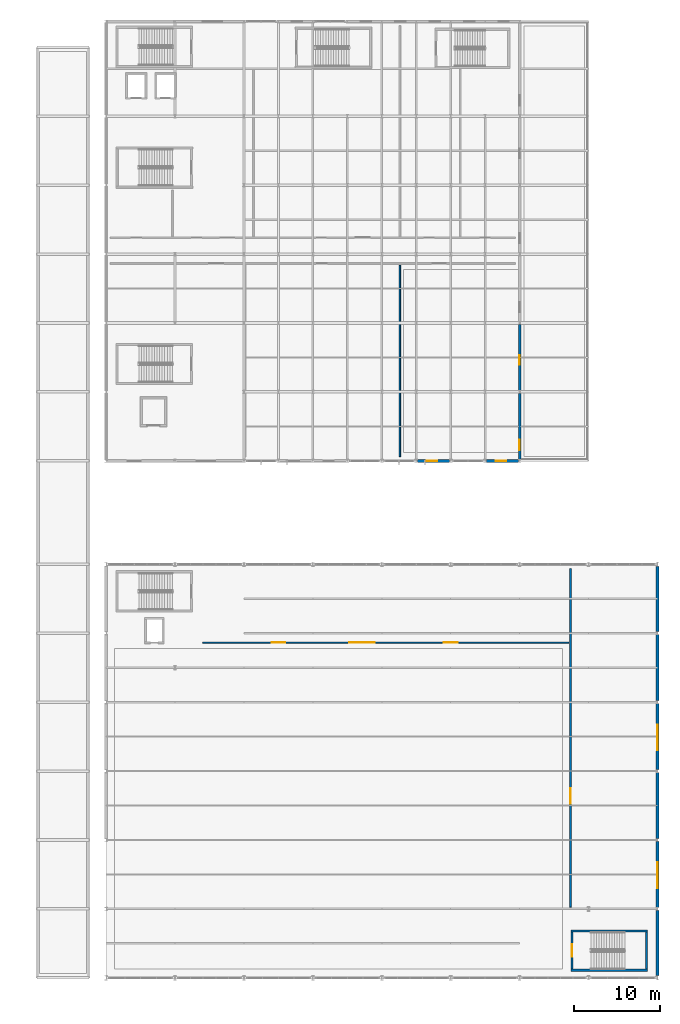
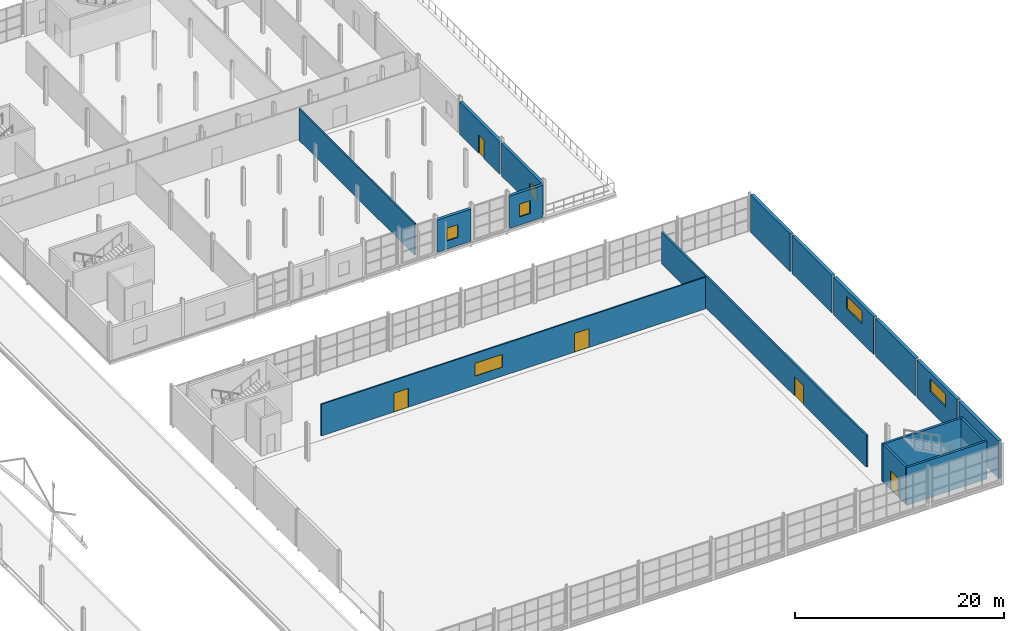
# One storey, part 141 of 153: 17 walls, 6 windows, 5 doors, 11 openings.
"""IFC4 building model written with IfcOpenShell, lengths in metres."""

from ifc_helpers import new_model, si_unit, derived_unit, direction, frame, frame_2d, origin, place, context, subcontext, project, spatial, rectangle, extrude, material, layer, layer_set, type_object, element, fill, save


model = new_model("IFC4")

# Units and contexts
model_context = context("Model", 3, precision=1e-05, world=origin(), true_north=direction((0.0, 1.0)))
body_context = subcontext(model_context, "Body", "Model", "MODEL_VIEW")
ifc_project = project(units=[si_unit("LENGTHUNIT", "METRE"), si_unit("AREAUNIT", "SQUARE_METRE"), si_unit("VOLUMEUNIT", "CUBIC_METRE"), si_unit("PLANEANGLEUNIT", "RADIAN"), si_unit("MASSUNIT", "GRAM", prefix="KILO"), derived_unit("THERMALTRANSMITTANCEUNIT", [(si_unit("POWERUNIT", "WATT"), 1), (si_unit("LENGTHUNIT", "METRE"), -2), (si_unit("THERMODYNAMICTEMPERATUREUNIT", "KELVIN"), -1)])], contexts=[model_context])

# Site, building, storey
site_placement = place(None, origin())
site = spatial("IfcSite", under=ifc_project, at=site_placement, CompositionType="ELEMENT")
building_placement = place(site_placement, origin())
building = spatial("IfcBuilding", under=site, at=building_placement, Name="Keldorne Ridge Multi-Sports Centre", CompositionType="ELEMENT")
storey_placement = place(building_placement, frame((0.0, 0.0, 9.60009765625)))
storey = spatial("IfcBuildingStorey", under=building, at=storey_placement, Name="L02", CompositionType="ELEMENT", Elevation=9.60009765625)

# Wall, opening, window
ifc_material_1 = material(Name="Precast concrete C40/50", Category="concrete")
ifc_layer_1 = layer(ifc_material_1, 0.320068359375)
ifc_layer_set_1 = layer_set([ifc_layer_1], Name="Precast concrete C40/50")
wall_type_1 = type_object("IfcWallType", Name="WAL-PR-W1", PredefinedType="STANDARD", material=ifc_layer_set_1)
wall_1_placement = place(storey_placement, frame((140.152099609375, 66.0, 0.0), z_axis=(0.0, 0.0, 1.0), x_axis=(1.0, 0.0, 0.0)))
wall_1 = element("IfcWall", 1, at=wall_1_placement, inside=storey, type_object=wall_type_1, Name="East Wing L02 south facade 8", PredefinedType="STANDARD", context=body_context, shape_type="SweptSolid", body=[
    extrude(rectangle(XDim=3.69580078125, YDim=0.320068359375, at=frame_2d((1.847900390625, 0.0))), origin(), (0.0, 0.0, 1.0), 3.77490234375),
])
opening_1_placement = place(wall_1_placement, frame((1.087890625, 0.0, 0.949951171875)))
opening_1 = element("IfcOpeningElement", 2, at=opening_1_placement, cuts=wall_1, Name="Opening W-03", PredefinedType="OPENING", context=body_context, shape_type="SweptSolid", body=[
    extrude(rectangle(XDim=1.199951171875, YDim=1.5, at=frame_2d((0.60009765625, 0.75))), frame((0.0, 0.169921875, 0.0), z_axis=(0.0, -1.0, 0.0), x_axis=(1.0, 0.0, 0.0)), (0.0, 0.0, 1.0), 0.340087890625),
])
ifc_material_2 = material(Name="Anodized aluminium", Category="aluminium")
window_type_1 = type_object("IfcWindowType", Name="WIN-W-03", PartitioningType="SINGLE_PANEL", PredefinedType="WINDOW", material=ifc_material_2)
window_1_placement = place(opening_1_placement, origin())
window_1 = element("IfcWindow", 3, at=window_1_placement, inside=storey, type_object=window_type_1, Name="East Wing L02 south window W-077", OverallHeight=1.5, OverallWidth=1.199951171875, PartitioningType="SINGLE_PANEL", PredefinedType="WINDOW", context=body_context, shape_type="SweptSolid", body=[
    extrude(rectangle(XDim=1.199951171875, YDim=1.5, at=frame_2d((0.60009765625, 0.75))), frame((0.0, 0.030029296875, 0.0), z_axis=(0.0, -1.0, 0.0), x_axis=(1.0, 0.0, 0.0)), (0.0, 0.0, 1.0), 0.06005859375),
])
fill(opening_1, window_1)

wall_2_placement = place(storey_placement, frame((148.152099609375, 66.0, 0.0), z_axis=(0.0, 0.0, 1.0), x_axis=(1.0, 0.0, 0.0)))
wall_2 = element("IfcWall", 4, at=wall_2_placement, inside=storey, type_object=wall_type_1, Name="East Wing L02 south facade 10", PredefinedType="STANDARD", context=body_context, shape_type="SweptSolid", body=[
    extrude(rectangle(XDim=3.69580078125, YDim=0.320068359375, at=frame_2d((1.847900390625, 0.0))), origin(), (0.0, 0.0, 1.0), 3.77490234375),
])
opening_2_placement = place(wall_2_placement, frame((1.087890625, 0.0, 0.949951171875)))
opening_2 = element("IfcOpeningElement", 5, at=opening_2_placement, cuts=wall_2, Name="Opening W-03", PredefinedType="OPENING", context=body_context, shape_type="SweptSolid", body=[
    extrude(rectangle(XDim=1.199951171875, YDim=1.5, at=frame_2d((0.60009765625, 0.75))), frame((0.0, 0.169921875, 0.0), z_axis=(0.0, -1.0, 0.0), x_axis=(1.0, 0.0, 0.0)), (0.0, 0.0, 1.0), 0.340087890625),
])
window_2_placement = place(opening_2_placement, origin())
window_2 = element("IfcWindow", 6, at=window_2_placement, inside=storey, type_object=window_type_1, Name="East Wing L02 south window W-078", OverallHeight=1.5, OverallWidth=1.199951171875, PartitioningType="SINGLE_PANEL", PredefinedType="WINDOW", context=body_context, shape_type="SweptSolid", body=[
    extrude(rectangle(XDim=1.199951171875, YDim=1.5, at=frame_2d((0.60009765625, 0.75))), frame((0.0, 0.030029296875, 0.0), z_axis=(0.0, -1.0, 0.0), x_axis=(1.0, 0.0, 0.0)), (0.0, 0.0, 1.0), 0.06005859375),
])
fill(opening_2, window_2)

wall_3_placement = place(storey_placement, frame((152.0, 66.172119140625, 0.0), z_axis=(0.0, 0.0, 1.0), x_axis=(0.0, 1.0, 0.0)))
wall_3 = element("IfcWall", 7, at=wall_3_placement, inside=storey, type_object=wall_type_1, Name="East Wing L02 east facade 1", PredefinedType="STANDARD", context=body_context, shape_type="SweptSolid", body=[
    extrude(rectangle(XDim=7.65576171875, YDim=0.320068359375, at=frame_2d((3.827880859375, 0.0))), origin(), (0.0, 0.0, 1.0), 3.824951171875),
])
opening_3_placement = place(wall_3_placement, frame((1.068115234375, 0.0, 0.949951171875)))
opening_3 = element("IfcOpeningElement", 8, at=opening_3_placement, cuts=wall_3, Name="Opening W-03", PredefinedType="OPENING", context=body_context, shape_type="SweptSolid", body=[
    extrude(rectangle(XDim=1.199951171875, YDim=1.5, at=frame_2d((0.60009765625, 0.75))), frame((0.0, 0.169921875, 0.0), z_axis=(0.0, -1.0, 0.0), x_axis=(1.0, 0.0, 0.0)), (0.0, 0.0, 1.0), 0.340087890625),
])
window_3_placement = place(opening_3_placement, origin())
window_3 = element("IfcWindow", 9, at=window_3_placement, inside=storey, type_object=window_type_1, Name="East Wing L02 east window W-086", OverallHeight=1.5, OverallWidth=1.199951171875, PartitioningType="SINGLE_PANEL", PredefinedType="WINDOW", context=body_context, shape_type="SweptSolid", body=[
    extrude(rectangle(XDim=1.199951171875, YDim=1.5, at=frame_2d((0.60009765625, 0.75))), frame((0.0, 0.030029296875, 0.0), z_axis=(0.0, -1.0, 0.0), x_axis=(1.0, 0.0, 0.0)), (0.0, 0.0, 1.0), 0.06005859375),
])
fill(opening_3, window_3)

# Wall, opening, door
wall_4_placement = place(storey_placement, frame((152.0, 74.172119140625, 0.0), z_axis=(0.0, 0.0, 1.0), x_axis=(0.0, 1.0, 0.0)))
wall_4 = element("IfcWall", 10, at=wall_4_placement, inside=storey, type_object=wall_type_1, Name="East Wing L02 east facade 2", PredefinedType="STANDARD", context=body_context, shape_type="SweptSolid", body=[
    extrude(rectangle(XDim=7.65576171875, YDim=0.320068359375, at=frame_2d((3.827880859375, 0.0))), origin(), (0.0, 0.0, 1.0), 3.824951171875),
])
opening_4_placement = place(wall_4_placement, frame((2.968017578125, 0.0, 0.0)))
opening_4 = element("IfcOpeningElement", 11, at=opening_4_placement, cuts=wall_4, Name="Opening ED-04", PredefinedType="OPENING", context=body_context, shape_type="SweptSolid", body=[
    extrude(rectangle(XDim=1.10009765625, YDim=2.199951171875, at=frame_2d((0.550048828125, 1.10009765625))), frame((0.0, 0.169921875, 0.0), z_axis=(0.0, -1.0, 0.0), x_axis=(1.0, 0.0, 0.0)), (0.0, 0.0, 1.0), 0.340087890625),
])
ifc_material_3 = material(Name="Galvanized steel", Category="steel")
door_type_1 = type_object("IfcDoorType", Name="DR-ED-04", OperationType="NOTDEFINED", PredefinedType="DOOR", material=ifc_material_3)
door_1_placement = place(opening_4_placement, origin())
door_1 = element("IfcDoor", 12, at=door_1_placement, inside=storey, type_object=door_type_1, Name="L02 East Stepped Roof Garden door 1", OperationType="SINGLE_SWING_LEFT", OverallHeight=2.199951171875, OverallWidth=1.10009765625, PredefinedType="DOOR", context=body_context, shape_type="SweptSolid", body=[
    extrude(rectangle(XDim=1.10009765625, YDim=2.199951171875, at=frame_2d((0.550048828125, 1.10009765625))), frame((0.0, 0.02490234375, 0.0), z_axis=(0.0, -1.0, 0.0), x_axis=(1.0, 0.0, 0.0)), (0.0, 0.0, 1.0), 0.050048828125),
])
fill(opening_4, door_1)

# Wall
ifc_layer_2 = layer(ifc_material_1, 0.360107421875)
ifc_layer_set_2 = layer_set([ifc_layer_2], Name="Precast concrete C40/50")
wall_type_2 = type_object("IfcWallType", Name="WAL-PR-W2", PredefinedType="STANDARD", material=ifc_layer_set_2)
wall_5_placement = place(storey_placement, frame((168.0, 6.251953125, 0.0), z_axis=(0.0, 0.0, 1.0), x_axis=(0.0, 1.0, 0.0)))
element("IfcWall", 13, at=wall_5_placement, inside=storey, type_object=wall_type_2, Name="Stacked Courts east acoustic wall L02.1", PredefinedType="STANDARD", context=body_context, shape_type="SweptSolid", body=[
    extrude(rectangle(XDim=7.575927734375, YDim=0.360107421875, at=frame_2d((3.7880859375, 0.0))), origin(), (0.0, 0.0, 1.0), 4.39990234375),
])

# Wall, opening, window
wall_6_placement = place(storey_placement, frame((168.0, 14.172119140625, 0.0), z_axis=(0.0, 0.0, 1.0), x_axis=(0.0, 1.0, 0.0)))
wall_6 = element("IfcWall", 14, at=wall_6_placement, inside=storey, type_object=wall_type_2, Name="Stacked Courts east acoustic wall L02.2", PredefinedType="STANDARD", context=body_context, shape_type="SweptSolid", body=[
    extrude(rectangle(XDim=7.65576171875, YDim=0.360107421875, at=frame_2d((3.827880859375, 0.0))), origin(), (0.0, 0.0, 1.0), 4.39990234375),
])
opening_5_placement = place(wall_6_placement, frame((2.218017578125, 0.0, 2.199951171875)))
opening_5 = element("IfcOpeningElement", 15, at=opening_5_placement, cuts=wall_6, Name="Opening W-04", PredefinedType="OPENING", context=body_context, shape_type="SweptSolid", body=[
    extrude(rectangle(XDim=3.0, YDim=1.5, at=frame_2d((1.5, 0.75))), frame((0.0, 0.18994140625, 0.0), z_axis=(0.0, -1.0, 0.0), x_axis=(1.0, 0.0, 0.0)), (0.0, 0.0, 1.0), 0.380126953125),
])
window_type_2 = type_object("IfcWindowType", Name="WIN-W-04", PartitioningType="DOUBLE_PANEL_VERTICAL", PredefinedType="WINDOW", material=ifc_material_2)
window_4_placement = place(opening_5_placement, origin())
window_4 = element("IfcWindow", 16, at=window_4_placement, inside=storey, type_object=window_type_2, Name="Stacked Courts east high window W-028", OverallHeight=1.5, OverallWidth=3.0, PartitioningType="SINGLE_PANEL", PredefinedType="WINDOW", context=body_context, shape_type="SweptSolid", body=[
    extrude(rectangle(XDim=3.0, YDim=1.5, at=frame_2d((1.5, 0.75))), frame((0.0, 0.030029296875, 0.0), z_axis=(0.0, -1.0, 0.0), x_axis=(1.0, 0.0, 0.0)), (0.0, 0.0, 1.0), 0.06005859375),
])
fill(opening_5, window_4)

# Wall
wall_7_placement = place(storey_placement, frame((168.0, 22.172119140625, 0.0), z_axis=(0.0, 0.0, 1.0), x_axis=(0.0, 1.0, 0.0)))
element("IfcWall", 17, at=wall_7_placement, inside=storey, type_object=wall_type_2, Name="Stacked Courts east acoustic wall L02.3", PredefinedType="STANDARD", context=body_context, shape_type="SweptSolid", body=[
    extrude(rectangle(XDim=7.65576171875, YDim=0.360107421875, at=frame_2d((3.827880859375, 0.0))), origin(), (0.0, 0.0, 1.0), 4.39990234375),
])

# Wall, opening, window
wall_8_placement = place(storey_placement, frame((168.0, 30.172119140625, 0.0), z_axis=(0.0, 0.0, 1.0), x_axis=(0.0, 1.0, 0.0)))
wall_8 = element("IfcWall", 18, at=wall_8_placement, inside=storey, type_object=wall_type_2, Name="Stacked Courts east acoustic wall L02.4", PredefinedType="STANDARD", context=body_context, shape_type="SweptSolid", body=[
    extrude(rectangle(XDim=7.65576171875, YDim=0.360107421875, at=frame_2d((3.827880859375, 0.0))), origin(), (0.0, 0.0, 1.0), 4.39990234375),
])
opening_6_placement = place(wall_8_placement, frame((2.218017578125, 0.0, 2.199951171875)))
opening_6 = element("IfcOpeningElement", 19, at=opening_6_placement, cuts=wall_8, Name="Opening W-04", PredefinedType="OPENING", context=body_context, shape_type="SweptSolid", body=[
    extrude(rectangle(XDim=3.0, YDim=1.5, at=frame_2d((1.5, 0.75))), frame((0.0, 0.18994140625, 0.0), z_axis=(0.0, -1.0, 0.0), x_axis=(1.0, 0.0, 0.0)), (0.0, 0.0, 1.0), 0.380126953125),
])
window_5_placement = place(opening_6_placement, origin())
window_5 = element("IfcWindow", 20, at=window_5_placement, inside=storey, type_object=window_type_2, Name="Stacked Courts east high window W-030", OverallHeight=1.5, OverallWidth=3.0, PartitioningType="SINGLE_PANEL", PredefinedType="WINDOW", context=body_context, shape_type="SweptSolid", body=[
    extrude(rectangle(XDim=3.0, YDim=1.5, at=frame_2d((1.5, 0.75))), frame((0.0, 0.030029296875, 0.0), z_axis=(0.0, -1.0, 0.0), x_axis=(1.0, 0.0, 0.0)), (0.0, 0.0, 1.0), 0.06005859375),
])
fill(opening_6, window_5)

# Walls
wall_9_placement = place(storey_placement, frame((168.0, 38.172119140625, 0.0), z_axis=(0.0, 0.0, 1.0), x_axis=(0.0, 1.0, 0.0)))
element("IfcWall", 21, at=wall_9_placement, inside=storey, type_object=wall_type_2, Name="Stacked Courts east acoustic wall L02.5", PredefinedType="STANDARD", context=body_context, shape_type="SweptSolid", body=[
    extrude(rectangle(XDim=7.65576171875, YDim=0.360107421875, at=frame_2d((3.827880859375, 0.0))), origin(), (0.0, 0.0, 1.0), 4.39990234375),
])
wall_10_placement = place(storey_placement, frame((168.0, 46.172119140625, 0.0), z_axis=(0.0, 0.0, 1.0), x_axis=(0.0, 1.0, 0.0)))
element("IfcWall", 22, at=wall_10_placement, inside=storey, type_object=wall_type_2, Name="Stacked Courts east acoustic wall L02.6", PredefinedType="STANDARD", context=body_context, shape_type="SweptSolid", body=[
    extrude(rectangle(XDim=7.575927734375, YDim=0.360107421875, at=frame_2d((3.7880859375, 0.0))), origin(), (0.0, 0.0, 1.0), 4.39990234375),
])

# Wall, openings, doors, window
ifc_material_4 = material(Name="Fire-rated twin stud plasterboard")
ifc_layer_3 = layer(ifc_material_4, 0.14990234375)
ifc_layer_set_3 = layer_set([ifc_layer_3])
wall_type_3 = type_object("IfcWallType", Name="WAL-PT-02", PredefinedType="PARTITIONING", material=ifc_layer_set_3)
wall_11_placement = place(storey_placement, frame((115.199951171875, 44.89990234375, 0.0), z_axis=(0.0, 0.0, 1.0), x_axis=(1.0, 0.0, 0.0)))
wall_11 = element("IfcWall", 23, at=wall_11_placement, inside=storey, type_object=wall_type_3, Name="Upper Courts spectator concourse wall IW-L02-054", PredefinedType="PARTITIONING", context=body_context, shape_type="SweptSolid", body=[
    extrude(rectangle(XDim=42.5, YDim=0.14990234375, at=frame_2d((21.25, 0.0))), origin(), (0.0, 0.0, 1.0), 3.699951171875),
])
opening_7_placement = place(wall_11_placement, frame((8.0, 0.0, 0.0)))
opening_7 = element("IfcOpeningElement", 24, at=opening_7_placement, cuts=wall_11, Name="Opening D-04", PredefinedType="OPENING", context=body_context, shape_type="SweptSolid", body=[
    extrude(rectangle(XDim=1.60009765625, YDim=2.199951171875, at=frame_2d((0.800048828125, 1.10009765625))), frame((0.0, 0.0849609375, 0.0), z_axis=(0.0, -1.0, 0.0), x_axis=(1.0, 0.0, 0.0)), (0.0, 0.0, 1.0), 0.169921875),
])
opening_8_placement = place(wall_11_placement, frame((28.0, 0.0, 0.0)))
opening_8 = element("IfcOpeningElement", 25, at=opening_8_placement, cuts=wall_11, Name="Opening D-04", PredefinedType="OPENING", context=body_context, shape_type="SweptSolid", body=[
    extrude(rectangle(XDim=1.60009765625, YDim=2.199951171875, at=frame_2d((0.800048828125, 1.10009765625))), frame((0.0, 0.0849609375, 0.0), z_axis=(0.0, -1.0, 0.0), x_axis=(1.0, 0.0, 0.0)), (0.0, 0.0, 1.0), 0.169921875),
])
opening_9_placement = place(wall_11_placement, frame((17.0, 0.0, 1.050048828125)))
opening_9 = element("IfcOpeningElement", 26, at=opening_9_placement, cuts=wall_11, Name="Opening IW-02", PredefinedType="OPENING", context=body_context, shape_type="SweptSolid", body=[
    extrude(rectangle(XDim=3.0, YDim=1.5, at=frame_2d((1.5, 0.75))), frame((0.0, 0.0849609375, 0.0), z_axis=(0.0, -1.0, 0.0), x_axis=(1.0, 0.0, 0.0)), (0.0, 0.0, 1.0), 0.169921875),
])
ifc_material_5 = material(Name="Timber fire-resisting pair", Category="wood")
door_type_2 = type_object("IfcDoorType", Name="DR-D-04", OperationType="NOTDEFINED", PredefinedType="DOOR", material=ifc_material_5)
door_2_placement = place(opening_7_placement, origin())
door_2 = element("IfcDoor", 27, at=door_2_placement, inside=storey, type_object=door_type_2, Name="Upper Courts concourse west door D-112", OperationType="DOUBLE_DOOR_SINGLE_SWING", OverallHeight=2.199951171875, OverallWidth=1.60009765625, PredefinedType="DOOR", context=body_context, shape_type="SweptSolid", body=[
    extrude(rectangle(XDim=1.60009765625, YDim=2.199951171875, at=frame_2d((0.800048828125, 1.10009765625))), frame((0.0, 0.02490234375, 0.0), z_axis=(0.0, -1.0, 0.0), x_axis=(1.0, 0.0, 0.0)), (0.0, 0.0, 1.0), 0.050048828125),
])
fill(opening_7, door_2)
door_3_placement = place(opening_8_placement, origin())
door_3 = element("IfcDoor", 28, at=door_3_placement, inside=storey, type_object=door_type_2, Name="Upper Courts concourse east door D-113", OperationType="DOUBLE_DOOR_SINGLE_SWING", OverallHeight=2.199951171875, OverallWidth=1.60009765625, PredefinedType="DOOR", context=body_context, shape_type="SweptSolid", body=[
    extrude(rectangle(XDim=1.60009765625, YDim=2.199951171875, at=frame_2d((0.800048828125, 1.10009765625))), frame((0.0, 0.02490234375, 0.0), z_axis=(0.0, -1.0, 0.0), x_axis=(1.0, 0.0, 0.0)), (0.0, 0.0, 1.0), 0.050048828125),
])
fill(opening_8, door_3)
window_type_3 = type_object("IfcWindowType", Name="WIN-IW-02", PartitioningType="SINGLE_PANEL", PredefinedType="WINDOW", material=ifc_material_2)
window_6_placement = place(opening_9_placement, origin())
window_6 = element("IfcWindow", 29, at=window_6_placement, inside=storey, type_object=window_type_3, Name="Internal viewing window", OverallHeight=1.5, OverallWidth=3.0, PartitioningType="SINGLE_PANEL", PredefinedType="WINDOW", context=body_context, shape_type="SweptSolid", body=[
    extrude(rectangle(XDim=3.0, YDim=1.5, at=frame_2d((1.5, 0.75))), frame((0.0, 0.030029296875, 0.0), z_axis=(0.0, -1.0, 0.0), x_axis=(1.0, 0.0, 0.0)), (0.0, 0.0, 1.0), 0.06005859375),
])
fill(opening_9, window_6)

# Wall, opening, door
ifc_material_6 = material(Name="Concrete blockwork C25/30", Category="masonry")
ifc_layer_4 = layer(ifc_material_6, 0.199951171875)
ifc_layer_set_4 = layer_set([ifc_layer_4])
wall_type_4 = type_object("IfcWallType", Name="WAL-PT-03", PredefinedType="PARTITIONING", material=ifc_layer_set_4)
wall_12_placement = place(storey_placement, frame((157.89990234375, 14.199951171875, 0.0), z_axis=(0.0, 0.0, 1.0), x_axis=(0.0, 1.0, 0.0)))
wall_12 = element("IfcWall", 30, at=wall_12_placement, inside=storey, type_object=wall_type_4, Name="Upper Courts store wall IW-L02-053", PredefinedType="PARTITIONING", context=body_context, shape_type="SweptSolid", body=[
    extrude(rectangle(XDim=39.300048828125, YDim=0.199951171875, at=frame_2d((19.64990234375, 0.0))), origin(), (0.0, 0.0, 1.0), 3.699951171875),
])
opening_10_placement = place(wall_12_placement, frame((12.0, 0.0, 0.0)))
opening_10 = element("IfcOpeningElement", 31, at=opening_10_placement, cuts=wall_12, Name="Opening D-06", PredefinedType="OPENING", context=body_context, shape_type="SweptSolid", body=[
    extrude(rectangle(XDim=1.800048828125, YDim=2.25, at=frame_2d((0.89990234375, 1.125))), frame((0.0, 0.10986328125, 0.0), z_axis=(0.0, -1.0, 0.0), x_axis=(1.0, 0.0, 0.0)), (0.0, 0.0, 1.0), 0.219970703125),
])
ifc_material_7 = material(Name="Steel acoustic pair", Category="steel")
door_type_3 = type_object("IfcDoorType", Name="DR-D-06", OperationType="NOTDEFINED", PredefinedType="DOOR", material=ifc_material_7)
door_4_placement = place(opening_10_placement, origin())
door_4 = element("IfcDoor", 32, at=door_4_placement, inside=storey, type_object=door_type_3, Name="Upper Courts equipment store door D-111", OperationType="DOUBLE_DOOR_SINGLE_SWING", OverallHeight=2.25, OverallWidth=1.800048828125, PredefinedType="DOOR", context=body_context, shape_type="SweptSolid", body=[
    extrude(rectangle(XDim=1.800048828125, YDim=2.25, at=frame_2d((0.89990234375, 1.125))), frame((0.0, 0.02490234375, 0.0), z_axis=(0.0, -1.0, 0.0), x_axis=(1.0, 0.0, 0.0)), (0.0, 0.0, 1.0), 0.050048828125),
])
fill(opening_10, door_4)

# Wall
ifc_material_8 = material(Name="Acoustic double stud plasterboard")
ifc_layer_5 = layer(ifc_material_8, 0.159912109375)
ifc_layer_set_5 = layer_set([ifc_layer_5])
wall_type_5 = type_object("IfcWallType", Name="WAL-PT-04", PredefinedType="PARTITIONING", material=ifc_layer_set_5)
wall_13_placement = place(storey_placement, frame((138.10009765625, 66.5, 0.0), z_axis=(0.0, 0.0, 1.0), x_axis=(0.0, 1.0, 0.0)))
element("IfcWall", 33, at=wall_13_placement, inside=storey, type_object=wall_type_5, Name="Clinical suite divider IW-L02-059", PredefinedType="PARTITIONING", context=body_context, shape_type="SweptSolid", body=[
    extrude(rectangle(XDim=22.199951171875, YDim=0.159912109375, at=frame_2d((11.10009765625, 0.0))), origin(), (0.0, 0.0, 1.0), 3.699951171875),
])

# Wall, opening, door
ifc_material_9 = material(Name="Concrete C40/50", Category="concrete")
ifc_layer_6 = layer(ifc_material_9, 0.25)
ifc_layer_set_6 = layer_set([ifc_layer_6], Name="Concrete C40/50")
wall_type_6 = type_object("IfcWallType", Name="WAL-SW01", PredefinedType="SHEAR", material=ifc_layer_set_6)
wall_14_placement = place(storey_placement, frame((158.074951171875, 7.0, 0.0), z_axis=(0.0, 0.0, 1.0), x_axis=(0.0, 1.0, 0.0)))
wall_14 = element("IfcWall", 34, at=wall_14_placement, inside=storey, type_object=wall_type_6, Name="Stair ST-05 shaft wall L02 NEAR", PredefinedType="SHEAR", context=body_context, shape_type="SweptSolid", body=[
    extrude(rectangle(XDim=4.300048828125, YDim=0.25, at=frame_2d((2.14990234375, 0.0))), origin(), (0.0, 0.0, 1.0), 4.39990234375),
])
opening_11_placement = place(wall_14_placement, frame((1.425048828125, 0.0, 0.0)))
opening_11 = element("IfcOpeningElement", 35, at=opening_11_placement, cuts=wall_14, Name="Opening D-05", PredefinedType="OPENING", context=body_context, shape_type="SweptSolid", body=[
    extrude(rectangle(XDim=1.449951171875, YDim=2.199951171875, at=frame_2d((0.72509765625, 1.10009765625))), frame((0.0, 0.135009765625, 0.0), z_axis=(0.0, -1.0, 0.0), x_axis=(1.0, 0.0, 0.0)), (0.0, 0.0, 1.0), 0.27001953125),
])
ifc_material_10 = material(Name="Steel fire-resisting pair", Category="steel")
door_type_4 = type_object("IfcDoorType", Name="DR-D-05", OperationType="NOTDEFINED", PredefinedType="DOOR", material=ifc_material_10)
door_5_placement = place(opening_11_placement, origin())
door_5 = element("IfcDoor", 36, at=door_5_placement, inside=storey, type_object=door_type_4, Name="Stair ST-05 L02 fire door D-026", OperationType="DOUBLE_DOOR_SINGLE_SWING", OverallHeight=2.199951171875, OverallWidth=1.449951171875, PredefinedType="DOOR", context=body_context, shape_type="SweptSolid", body=[
    extrude(rectangle(XDim=1.449951171875, YDim=2.199951171875, at=frame_2d((0.72509765625, 1.10009765625))), frame((0.0, 0.02490234375, 0.0), z_axis=(0.0, -1.0, 0.0), x_axis=(1.0, 0.0, 0.0)), (0.0, 0.0, 1.0), 0.050048828125),
])
fill(opening_11, door_5)

# Walls
wall_15_placement = place(storey_placement, frame((166.72509765625, 11.300048828125, 0.0), z_axis=(0.0, 0.0, 1.0), x_axis=(0.0, -1.0, 0.0)))
element("IfcWall", 37, at=wall_15_placement, inside=storey, type_object=wall_type_6, Name="Stair ST-05 shaft wall L02 FAR", PredefinedType="SHEAR", context=body_context, shape_type="SweptSolid", body=[
    extrude(rectangle(XDim=4.300048828125, YDim=0.25, at=frame_2d((2.14990234375, 0.0))), origin(), (0.0, 0.0, 1.0), 4.39990234375),
])
for number, where, z_axis, x_axis, name in (
    (38, (157.949951171875, 6.875, 0.0), (0.0, 0.0, 1.0), (1.0, 0.0, 0.0), "Stair ST-05 shaft wall L02 SOUTH"),
    (39, (166.85009765625, 11.425048828125, 0.0), (0.0, 0.0, 1.0), (-1.0, 0.0, 0.0), "Stair ST-05 shaft wall L02 NORTH"),
):
    element("IfcWall", number, at=place(storey_placement, frame(where, z_axis=z_axis, x_axis=x_axis)), inside=storey, type_object=wall_type_6, Name=name, PredefinedType="SHEAR", context=body_context, shape_type="SweptSolid", body=[
        extrude(rectangle(XDim=8.900146484375, YDim=0.25, at=frame_2d((4.4501953125, 0.0))), origin(), (0.0, 0.0, 1.0), 4.39990234375),
    ])

save(model, "model.ifc")
